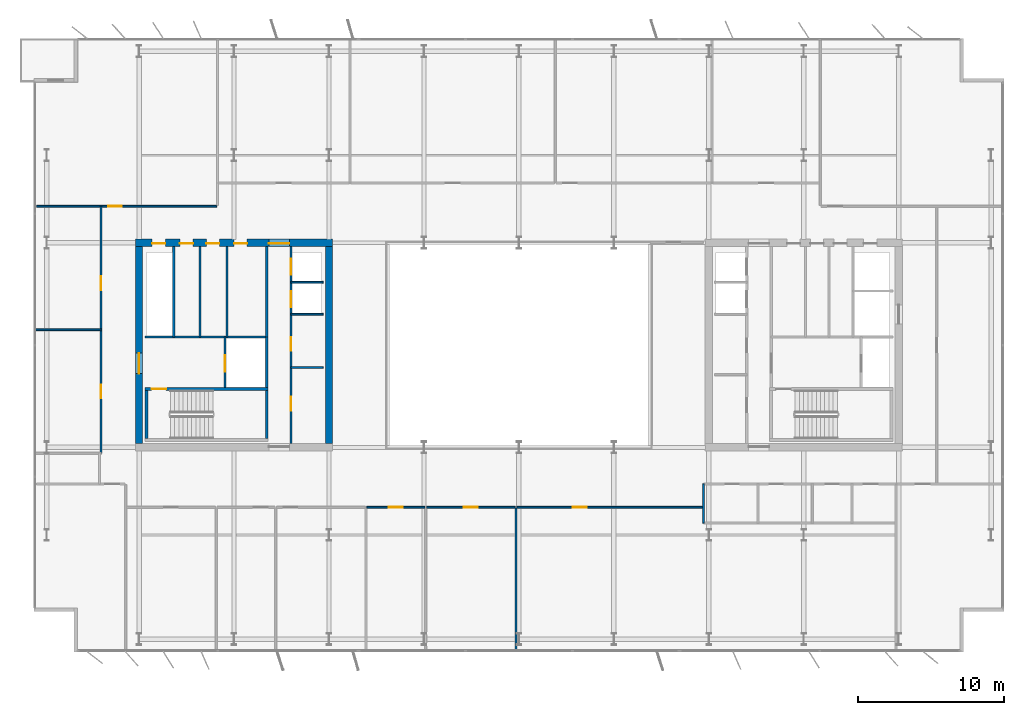
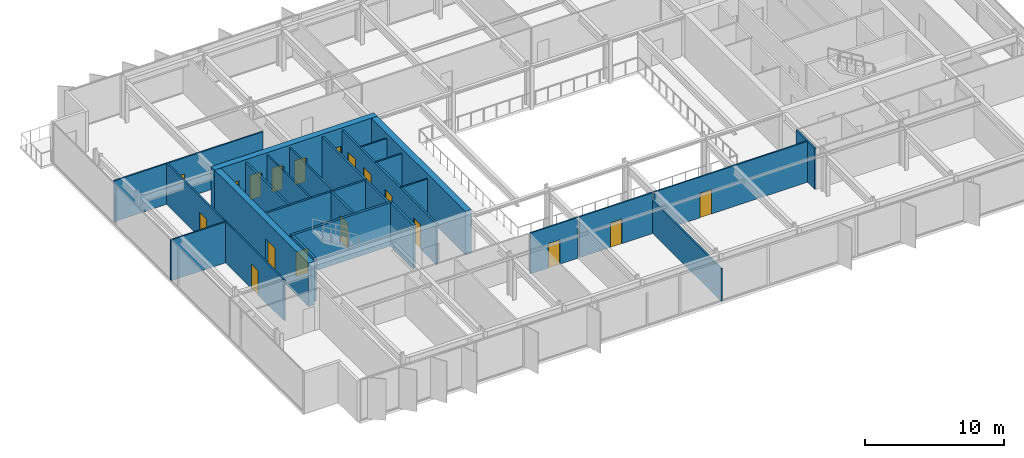
# One storey, part 17 of 23: 26 walls, 18 doors, 18 openings.
"""IFC4 building model written with IfcOpenShell, lengths in metres."""

from ifc_helpers import new_model, si_unit, direction, frame, frame_2d, origin, place, context, subcontext, project, spatial, rectangle, extrude, material, layer, layer_set, type_object, element, fill, save


model = new_model("IFC4")

# Units and contexts
model_context = context("Model", 3, precision=1e-05, world=origin(), true_north=direction((0.0, 1.0)))
body_context = subcontext(model_context, "Body", "Model", "MODEL_VIEW")
ifc_project = project(units=[si_unit("LENGTHUNIT", "METRE"), si_unit("AREAUNIT", "SQUARE_METRE"), si_unit("VOLUMEUNIT", "CUBIC_METRE"), si_unit("PLANEANGLEUNIT", "RADIAN"), si_unit("MASSUNIT", "GRAM", prefix="KILO")], contexts=[model_context])

# Site, building, storey
site_placement = place(None, origin())
site = spatial("IfcSite", under=ifc_project, at=site_placement, CompositionType="ELEMENT")
building_placement = place(site_placement, origin())
building = spatial("IfcBuilding", under=site, at=building_placement, Name="Putna Gate Headquarters", CompositionType="ELEMENT")
storey_placement = place(building_placement, frame((0.0, 0.0, 221.39990234375)))
storey = spatial("IfcBuildingStorey", under=building, at=storey_placement, Name="L55", CompositionType="ELEMENT", Elevation=221.39990234375)

# Wall, openings, doors
ifc_material_1 = material(Name="Concrete C50/60", Category="concrete")
ifc_layer_1 = layer(ifc_material_1, 0.5)
ifc_layer_set_1 = layer_set([ifc_layer_1], Name="Concrete C50/60")
wall_type_1 = type_object("IfcWallType", Name="WALL-CORE-500", PredefinedType="SHEAR", material=ifc_layer_set_1)
wall_1_placement = place(storey_placement, frame((12.75, 33.0, 0.0), z_axis=(0.0, 0.0, 1.0), x_axis=(1.0, 0.0, 0.0)))
wall_1 = element("IfcWall", 1, at=wall_1_placement, inside=storey, type_object=wall_type_1, Name="L55 WC Split Core Shear Wall N", PredefinedType="SHEAR", context=body_context, shape_type="SweptSolid", body=[
    extrude(rectangle(XDim=13.5, YDim=0.5, at=frame_2d((6.75, 0.0))), origin(), (0.0, 0.0, 1.0), 3.800048828125),
])
opening_1_placement = place(wall_1_placement, frame((1.14990234375, 0.0, 0.0)))
opening_1 = element("IfcOpeningElement", 2, at=opening_1_placement, cuts=wall_1, Name="Opening RD-90", PredefinedType="OPENING", context=body_context, shape_type="SweptSolid", body=[
    extrude(rectangle(XDim=0.89990234375, YDim=2.14990234375, at=frame_2d((0.449951171875, 1.074951171875))), frame((0.0, 0.260009765625, 0.0), z_axis=(0.0, -1.0, 0.0), x_axis=(1.0, 0.0, 0.0)), (0.0, 0.0, 1.0), 0.52001953125),
])
opening_2_placement = place(wall_1_placement, frame((3.050048828125, 0.0, 0.0)))
opening_2 = element("IfcOpeningElement", 3, at=opening_2_placement, cuts=wall_1, Name="Opening IDS-90", PredefinedType="OPENING", context=body_context, shape_type="SweptSolid", body=[
    extrude(rectangle(XDim=0.89990234375, YDim=2.14990234375, at=frame_2d((0.449951171875, 1.074951171875))), frame((0.0, 0.260009765625, 0.0), z_axis=(0.0, -1.0, 0.0), x_axis=(1.0, 0.0, 0.0)), (0.0, 0.0, 1.0), 0.52001953125),
])
opening_3_placement = place(wall_1_placement, frame((4.85009765625, 0.0, 0.0)))
opening_3 = element("IfcOpeningElement", 4, at=opening_3_placement, cuts=wall_1, Name="Opening IDS-90", PredefinedType="OPENING", context=body_context, shape_type="SweptSolid", body=[
    extrude(rectangle(XDim=0.89990234375, YDim=2.14990234375, at=frame_2d((0.449951171875, 1.074951171875))), frame((0.0, 0.260009765625, 0.0), z_axis=(0.0, -1.0, 0.0), x_axis=(1.0, 0.0, 0.0)), (0.0, 0.0, 1.0), 0.52001953125),
])
opening_4_placement = place(wall_1_placement, frame((6.75, 0.0, 0.0)))
opening_4 = element("IfcOpeningElement", 5, at=opening_4_placement, cuts=wall_1, Name="Opening IDS-90", PredefinedType="OPENING", context=body_context, shape_type="SweptSolid", body=[
    extrude(rectangle(XDim=0.89990234375, YDim=2.14990234375, at=frame_2d((0.449951171875, 1.074951171875))), frame((0.0, 0.260009765625, 0.0), z_axis=(0.0, -1.0, 0.0), x_axis=(1.0, 0.0, 0.0)), (0.0, 0.0, 1.0), 0.52001953125),
])
opening_5_placement = place(wall_1_placement, frame((9.1298828125, 0.0, 0.0)))
opening_5 = element("IfcOpeningElement", 6, at=opening_5_placement, cuts=wall_1, Name="Opening FDD-140", PredefinedType="OPENING", context=body_context, shape_type="SweptSolid", body=[
    extrude(rectangle(XDim=1.39990234375, YDim=2.199951171875, at=frame_2d((0.699951171875, 1.10009765625))), frame((0.0, 0.260009765625, 0.0), z_axis=(0.0, -1.0, 0.0), x_axis=(1.0, 0.0, 0.0)), (0.0, 0.0, 1.0), 0.52001953125),
])
ifc_material_2 = material(Name="Double steel fire door", Category="steel")
door_type_1 = type_object("IfcDoorType", Name="DOOR-FIRE-DBL-1400", OperationType="DOUBLE_DOOR_SINGLE_SWING", PredefinedType="DOOR", material=ifc_material_2)
door_1_placement = place(opening_5_placement, origin())
door_1 = element("IfcDoor", 7, at=door_1_placement, inside=storey, type_object=door_type_1, Name="L55 West Lift Lobby North Door", OperationType="DOUBLE_DOOR_SINGLE_SWING", OverallHeight=2.199951171875, OverallWidth=1.39990234375, PredefinedType="DOOR", context=body_context, shape_type="SweptSolid", body=[
    extrude(rectangle(XDim=1.39990234375, YDim=2.199951171875, at=frame_2d((0.699951171875, 1.10009765625))), frame((0.0, -0.02490234375, 0.0), z_axis=(0.0, -1.0, 0.0), x_axis=(1.0, 0.0, 0.0)), (0.0, 0.0, 1.0), 0.050048828125),
])
fill(opening_5, door_1)
ifc_material_3 = material(Name="Fire-rated utility door")
door_type_2 = type_object("IfcDoorType", Name="DOOR-INT-900", OperationType="NOTDEFINED", PredefinedType="DOOR", material=ifc_material_3)
door_2_placement = place(opening_2_placement, origin())
door_2 = element("IfcDoor", 8, at=door_2_placement, inside=storey, type_object=door_type_2, Name="L55 Janitor Cupboard Door", OperationType="SINGLE_SWING_LEFT", OverallHeight=2.14990234375, OverallWidth=0.89990234375, PredefinedType="DOOR", context=body_context, shape_type="SweptSolid", body=[
    extrude(rectangle(XDim=0.89990234375, YDim=2.14990234375, at=frame_2d((0.449951171875, 1.074951171875))), frame((0.0, -0.02490234375, 0.0), z_axis=(0.0, -1.0, 0.0), x_axis=(1.0, 0.0, 0.0)), (0.0, 0.0, 1.0), 0.050048828125),
])
fill(opening_2, door_2)
door_3_placement = place(opening_3_placement, origin())
door_3 = element("IfcDoor", 9, at=door_3_placement, inside=storey, type_object=door_type_2, Name="L55 IT Patch Plant Door", OperationType="SINGLE_SWING_RIGHT", OverallHeight=2.14990234375, OverallWidth=0.89990234375, PredefinedType="DOOR", context=body_context, shape_type="SweptSolid", body=[
    extrude(rectangle(XDim=0.89990234375, YDim=2.14990234375, at=frame_2d((0.449951171875, 1.074951171875))), frame((0.0, -0.02490234375, 0.0), z_axis=(0.0, -1.0, 0.0), x_axis=(1.0, 0.0, 0.0)), (0.0, 0.0, 1.0), 0.050048828125),
])
fill(opening_3, door_3)
door_4_placement = place(opening_4_placement, origin())
door_4 = element("IfcDoor", 10, at=door_4_placement, inside=storey, type_object=door_type_2, Name="L55 Building Records Store Door", OperationType="SINGLE_SWING_LEFT", OverallHeight=2.14990234375, OverallWidth=0.89990234375, PredefinedType="DOOR", context=body_context, shape_type="SweptSolid", body=[
    extrude(rectangle(XDim=0.89990234375, YDim=2.14990234375, at=frame_2d((0.449951171875, 1.074951171875))), frame((0.0, -0.02490234375, 0.0), z_axis=(0.0, -1.0, 0.0), x_axis=(1.0, 0.0, 0.0)), (0.0, 0.0, 1.0), 0.050048828125),
])
fill(opening_4, door_4)
ifc_material_4 = material(Name="Steel riser access fire door", Category="steel")
door_type_3 = type_object("IfcDoorType", Name="DOOR-RISER-900", OperationType="NOTDEFINED", PredefinedType="DOOR", material=ifc_material_4)
door_5_placement = place(opening_1_placement, origin())
door_5 = element("IfcDoor", 11, at=door_5_placement, inside=storey, type_object=door_type_3, Name="L55 West Riser Access Door", OperationType="SINGLE_SWING_RIGHT", OverallHeight=2.14990234375, OverallWidth=0.89990234375, PredefinedType="DOOR", context=body_context, shape_type="SweptSolid", body=[
    extrude(rectangle(XDim=0.89990234375, YDim=2.14990234375, at=frame_2d((0.449951171875, 1.074951171875))), frame((0.0, -0.02490234375, 0.0), z_axis=(0.0, -1.0, 0.0), x_axis=(1.0, 0.0, 0.0)), (0.0, 0.0, 1.0), 0.050048828125),
])
fill(opening_1, door_5)

# Wall, opening, door
wall_2_placement = place(storey_placement, frame((13.0, 19.25, 0.0), z_axis=(0.0, 0.0, 1.0), x_axis=(0.0, 1.0, 0.0)))
wall_2 = element("IfcWall", 12, at=wall_2_placement, inside=storey, type_object=wall_type_1, Name="L55 WC Split Core Shear Wall W", PredefinedType="SHEAR", context=body_context, shape_type="SweptSolid", body=[
    extrude(rectangle(XDim=13.5, YDim=0.5, at=frame_2d((6.75, 0.0))), origin(), (0.0, 0.0, 1.0), 3.800048828125),
])
opening_6_placement = place(wall_2_placement, frame((4.800048828125, 0.0, 0.0)))
opening_6 = element("IfcOpeningElement", 13, at=opening_6_placement, cuts=wall_2, Name="Opening FDD-140", PredefinedType="OPENING", context=body_context, shape_type="SweptSolid", body=[
    extrude(rectangle(XDim=1.39990234375, YDim=2.199951171875, at=frame_2d((0.699951171875, 1.10009765625))), frame((0.0, 0.260009765625, 0.0), z_axis=(0.0, -1.0, 0.0), x_axis=(1.0, 0.0, 0.0)), (0.0, 0.0, 1.0), 0.52001953125),
])
door_6_placement = place(opening_6_placement, origin())
door_6 = element("IfcDoor", 14, at=door_6_placement, inside=storey, type_object=door_type_1, Name="L55 West Firefighting Lobby Door", OperationType="DOUBLE_DOOR_SINGLE_SWING", OverallHeight=2.199951171875, OverallWidth=1.39990234375, PredefinedType="DOOR", context=body_context, shape_type="SweptSolid", body=[
    extrude(rectangle(XDim=1.39990234375, YDim=2.199951171875, at=frame_2d((0.699951171875, 1.10009765625))), frame((0.0, 0.02490234375, 0.0), z_axis=(0.0, -1.0, 0.0), x_axis=(1.0, 0.0, 0.0)), (0.0, 0.0, 1.0), 0.050048828125),
])
fill(opening_6, door_6)

# Walls
wall_3_placement = place(storey_placement, frame((26.0, 19.25, 0.0), z_axis=(0.0, 0.0, 1.0), x_axis=(0.0, 1.0, 0.0)))
element("IfcWall", 15, at=wall_3_placement, inside=storey, type_object=wall_type_1, Name="L55 WC Split Core Shear Wall E", PredefinedType="SHEAR", context=body_context, shape_type="SweptSolid", body=[
    extrude(rectangle(XDim=13.5, YDim=0.5, at=frame_2d((6.75, 0.0))), origin(), (0.0, 0.0, 1.0), 3.800048828125),
])
ifc_material_5 = material(Name="Acoustic gypsum board on metal stud")
ifc_layer_2 = layer(ifc_material_5, 0.1201171875)
ifc_layer_set_2 = layer_set([ifc_layer_2], Name="Acoustic gypsum board on metal stud")
wall_type_2 = type_object("IfcWallType", Name="WALL-PART-120", PredefinedType="PARTITIONING", material=ifc_layer_set_2)
wall_4_placement = place(storey_placement, frame((38.800048828125, 5.02001953125, 0.0), z_axis=(0.0, 0.0, 1.0), x_axis=(0.0, 1.0, 0.0)))
element("IfcWall", 16, at=wall_4_placement, inside=storey, type_object=wall_type_2, Name="L55 Interior Wall PART-L55-SB-DIV-06", PredefinedType="PARTITIONING", context=body_context, shape_type="SweptSolid", body=[
    extrude(rectangle(XDim=9.820068359375, YDim=0.1201171875, at=frame_2d((4.91015625, 0.0))), origin(), (0.0, 0.0, 1.0), 2.880126953125),
])
wall_5_placement = place(storey_placement, frame((5.820068359375, 27.050048828125, 0.0), z_axis=(0.0, 0.0, 1.0), x_axis=(1.0, 0.0, 0.0)))
element("IfcWall", 17, at=wall_5_placement, inside=storey, type_object=wall_type_2, Name="L55 Interior Wall PART-L55-WW-DIV-1", PredefinedType="PARTITIONING", context=body_context, shape_type="SweptSolid", body=[
    extrude(rectangle(XDim=4.579833984375, YDim=0.1201171875, at=frame_2d((2.2900390625, 0.0))), origin(), (0.0, 0.0, 1.0), 3.580078125),
])
ifc_material_6 = material(Name="Fire-rated shaftwall gypsum board on metal stud")
ifc_layer_3 = layer(ifc_material_6, 0.1201171875)
ifc_layer_set_3 = layer_set([ifc_layer_3], Name="Fire-rated shaftwall gypsum board on metal stud")
wall_type_3 = type_object("IfcWallType", Name="WALL-PART-120-EI120", PredefinedType="PARTITIONING", material=ifc_layer_set_3)
wall_6_placement = place(storey_placement, frame((23.39990234375, 30.31005859375, 0.0), z_axis=(0.0, 0.0, 1.0), x_axis=(1.0, 0.0, 0.0)))
element("IfcWall", 18, at=wall_6_placement, inside=storey, type_object=wall_type_3, Name="L55 Interior Wall CWINT-L55-WC-LF09-DIV", PredefinedType="PARTITIONING", context=body_context, shape_type="SweptSolid", body=[
    extrude(rectangle(XDim=2.2001953125, YDim=0.1201171875, at=frame_2d((1.10009765625, 0.0))), origin(), (0.0, 0.0, 1.0), 3.580078125),
])
ifc_material_7 = material(Name="Fire-rated gypsum board on metal stud")
ifc_layer_4 = layer(ifc_material_7, 0.1201171875)
ifc_layer_set_4 = layer_set([ifc_layer_4], Name="Fire-rated gypsum board on metal stud")
wall_type_4 = type_object("IfcWallType", Name="WALL-PART-120-RATED", PredefinedType="PARTITIONING", material=ifc_layer_set_4)
for number, where, z_axis, x_axis, name in (
    (19, (17.169921875, 26.56005859375, 0.0), (0.0, 0.0, 1.0), (0.0, 1.0, 0.0), "L55 Interior Wall CWINT-L55-WC-K2-D1"),
    (20, (19.02001953125, 26.56005859375, 0.0), (0.0, 0.0, 1.0), (0.0, 1.0, 0.0), "L55 Interior Wall CWINT-L55-WC-K2-D2"),
):
    element("IfcWall", number, at=place(storey_placement, frame(where, z_axis=z_axis, x_axis=x_axis)), inside=storey, type_object=wall_type_4, Name=name, PredefinedType="PARTITIONING", context=body_context, shape_type="SweptSolid", body=[
        extrude(rectangle(XDim=6.18994140625, YDim=0.1201171875, at=frame_2d((3.094970703125, 0.0))), origin(), (0.0, 0.0, 1.0), 3.580078125),
    ])
for number, where, z_axis, x_axis, name in (
    (21, (23.39990234375, 24.469970703125, 0.0), (0.0, 0.0, 1.0), (1.0, 0.0, 0.0), "L55 Interior Wall CWINT-L55-WC-REUSE-DIV"),
    (22, (23.39990234375, 28.1201171875, 0.0), (0.0, 0.0, 1.0), (1.0, 0.0, 0.0), "L55 Interior Wall CWINT-L55-WC-LF06-DIV"),
):
    element("IfcWall", number, at=place(storey_placement, frame(where, z_axis=z_axis, x_axis=x_axis)), inside=storey, type_object=wall_type_4, Name=name, PredefinedType="PARTITIONING", context=body_context, shape_type="SweptSolid", body=[
        extrude(rectangle(XDim=2.2001953125, YDim=0.1201171875, at=frame_2d((1.10009765625, 0.0))), origin(), (0.0, 0.0, 1.0), 3.580078125),
    ])
wall_7_placement = place(storey_placement, frame((51.639892578125, 13.820068359375, 0.0), z_axis=(0.0, 0.0, 1.0), x_axis=(0.0, 1.0, 0.0)))
element("IfcWall", 23, at=wall_7_placement, inside=storey, type_object=wall_type_4, Name="L55 Interior Wall PART-L55-SAN-DIV-1", PredefinedType="PARTITIONING", context=body_context, shape_type="SweptSolid", body=[
    extrude(rectangle(XDim=2.679931640625, YDim=0.1201171875, at=frame_2d((1.33984375, 0.0))), origin(), (0.0, 0.0, 1.0), 3.580078125),
])

# Wall, opening, door
wall_8_placement = place(storey_placement, frame((5.97998046875, 35.5, 0.0), z_axis=(0.0, 0.0, 1.0), x_axis=(1.0, 0.0, 0.0)))
wall_8 = element("IfcWall", 24, at=wall_8_placement, inside=storey, type_object=wall_type_4, Name="L55 Interior Wall PART-L55-NB-CW-01", PredefinedType="PARTITIONING", context=body_context, shape_type="SweptSolid", body=[
    extrude(rectangle(XDim=12.3291015625, YDim=0.1201171875, at=frame_2d((6.16455078125, 0.0))), origin(), (0.0, 0.0, 1.0), 3.580078125),
])
opening_7_placement = place(wall_8_placement, frame((4.89990234375, 0.0, 0.0)))
opening_7 = element("IfcOpeningElement", 25, at=opening_7_placement, cuts=wall_8, Name="Opening FD-95", PredefinedType="OPENING", context=body_context, shape_type="SweptSolid", body=[
    extrude(rectangle(XDim=0.949951171875, YDim=2.14990234375, at=frame_2d((0.47509765625, 1.074951171875))), frame((0.0, 0.070068359375, 0.0), z_axis=(0.0, -1.0, 0.0), x_axis=(1.0, 0.0, 0.0)), (0.0, 0.0, 1.0), 0.14013671875),
])
ifc_material_8 = material(Name="Acoustic timber fire door", Category="wood")
door_type_4 = type_object("IfcDoorType", Name="DOOR-FIRE-950", OperationType="NOTDEFINED", PredefinedType="DOOR", material=ifc_material_8)
door_7_placement = place(opening_7_placement, origin())
door_7 = element("IfcDoor", 26, at=door_7_placement, inside=storey, type_object=door_type_4, Name="L55 Collaborative Breakout Lounge 1 Door", OperationType="SINGLE_SWING_RIGHT", OverallHeight=2.14990234375, OverallWidth=0.949951171875, PredefinedType="DOOR", context=body_context, shape_type="SweptSolid", body=[
    extrude(rectangle(XDim=0.949951171875, YDim=2.14990234375, at=frame_2d((0.47509765625, 1.074951171875))), frame((0.0, 0.02490234375, 0.0), z_axis=(0.0, -1.0, 0.0), x_axis=(1.0, 0.0, 0.0)), (0.0, 0.0, 1.0), 0.050048828125),
])
fill(opening_7, door_7)

wall_9_placement = place(storey_placement, frame((28.59912109375, 14.89990234375, 0.0), z_axis=(0.0, 0.0, 1.0), x_axis=(1.0, 0.0, 0.0)))
wall_9 = element("IfcWall", 27, at=wall_9_placement, inside=storey, type_object=wall_type_4, Name="L55 Interior Wall PART-L55-SB-CW-05", PredefinedType="PARTITIONING", context=body_context, shape_type="SweptSolid", body=[
    extrude(rectangle(XDim=3.9541015625, YDim=0.1201171875, at=frame_2d((1.97705078125, 0.0))), origin(), (0.0, 0.0, 1.0), 3.580078125),
])
opening_8_placement = place(wall_9_placement, frame((1.502197265625, 0.0, 0.0)))
opening_8 = element("IfcOpeningElement", 28, at=opening_8_placement, cuts=wall_9, Name="Opening FD-95", PredefinedType="OPENING", context=body_context, shape_type="SweptSolid", body=[
    extrude(rectangle(XDim=0.949951171875, YDim=2.14990234375, at=frame_2d((0.47509765625, 1.074951171875))), frame((0.0, 0.070068359375, 0.0), z_axis=(0.0, -1.0, 0.0), x_axis=(1.0, 0.0, 0.0)), (0.0, 0.0, 1.0), 0.14013671875),
])
door_8_placement = place(opening_8_placement, origin())
door_8 = element("IfcDoor", 29, at=door_8_placement, inside=storey, type_object=door_type_4, Name="L55 Conference Meeting Room 3 Door", OperationType="SINGLE_SWING_RIGHT", OverallHeight=2.14990234375, OverallWidth=0.949951171875, PredefinedType="DOOR", context=body_context, shape_type="SweptSolid", body=[
    extrude(rectangle(XDim=0.949951171875, YDim=2.14990234375, at=frame_2d((0.47509765625, 1.074951171875))), frame((0.0, 0.02490234375, 0.0), z_axis=(0.0, -1.0, 0.0), x_axis=(1.0, 0.0, 0.0)), (0.0, 0.0, 1.0), 0.050048828125),
])
fill(opening_8, door_8)

wall_10_placement = place(storey_placement, frame((32.673095703125, 14.89990234375, 0.0), z_axis=(0.0, 0.0, 1.0), x_axis=(1.0, 0.0, 0.0)))
wall_10 = element("IfcWall", 30, at=wall_10_placement, inside=storey, type_object=wall_type_4, Name="L55 Interior Wall PART-L55-SB-CW-06", PredefinedType="PARTITIONING", context=body_context, shape_type="SweptSolid", body=[
    extrude(rectangle(XDim=6.06689453125, YDim=0.1201171875, at=frame_2d((3.033447265625, 0.0))), origin(), (0.0, 0.0, 1.0), 3.580078125),
])
opening_9_placement = place(wall_10_placement, frame((2.558349609375, 0.0, 0.0)))
opening_9 = element("IfcOpeningElement", 31, at=opening_9_placement, cuts=wall_10, Name="Opening FD-95", PredefinedType="OPENING", context=body_context, shape_type="SweptSolid", body=[
    extrude(rectangle(XDim=0.949951171875, YDim=2.14990234375, at=frame_2d((0.47509765625, 1.074951171875))), frame((0.0, 0.070068359375, 0.0), z_axis=(0.0, -1.0, 0.0), x_axis=(1.0, 0.0, 0.0)), (0.0, 0.0, 1.0), 0.14013671875),
])
door_9_placement = place(opening_9_placement, origin())
door_9 = element("IfcDoor", 32, at=door_9_placement, inside=storey, type_object=door_type_4, Name="L55 Conference Meeting Room 4 Door", OperationType="SINGLE_SWING_LEFT", OverallHeight=2.14990234375, OverallWidth=0.949951171875, PredefinedType="DOOR", context=body_context, shape_type="SweptSolid", body=[
    extrude(rectangle(XDim=0.949951171875, YDim=2.14990234375, at=frame_2d((0.47509765625, 1.074951171875))), frame((0.0, 0.02490234375, 0.0), z_axis=(0.0, -1.0, 0.0), x_axis=(1.0, 0.0, 0.0)), (0.0, 0.0, 1.0), 0.050048828125),
])
fill(opening_9, door_9)

wall_11_placement = place(storey_placement, frame((38.860107421875, 14.89990234375, 0.0), z_axis=(0.0, 0.0, 1.0), x_axis=(1.0, 0.0, 0.0)))
wall_11 = element("IfcWall", 33, at=wall_11_placement, inside=storey, type_object=wall_type_4, Name="L55 Interior Wall PART-L55-SB-CW-07", PredefinedType="PARTITIONING", context=body_context, shape_type="SweptSolid", body=[
    extrude(rectangle(XDim=12.719970703125, YDim=0.1201171875, at=frame_2d((6.35986328125, 0.0))), origin(), (0.0, 0.0, 1.0), 3.580078125),
])
opening_10_placement = place(wall_11_placement, frame((3.81591796875, 0.0, 0.0)))
opening_10 = element("IfcOpeningElement", 34, at=opening_10_placement, cuts=wall_11, Name="Opening FD-95", PredefinedType="OPENING", context=body_context, shape_type="SweptSolid", body=[
    extrude(rectangle(XDim=0.949951171875, YDim=2.14990234375, at=frame_2d((0.47509765625, 1.074951171875))), frame((0.0, 0.070068359375, 0.0), z_axis=(0.0, -1.0, 0.0), x_axis=(1.0, 0.0, 0.0)), (0.0, 0.0, 1.0), 0.14013671875),
])
door_10_placement = place(opening_10_placement, origin())
door_10 = element("IfcDoor", 35, at=door_10_placement, inside=storey, type_object=door_type_4, Name="L55 Primary Open Office Workplace Door", OperationType="SINGLE_SWING_RIGHT", OverallHeight=2.14990234375, OverallWidth=0.949951171875, PredefinedType="DOOR", context=body_context, shape_type="SweptSolid", body=[
    extrude(rectangle(XDim=0.949951171875, YDim=2.14990234375, at=frame_2d((0.47509765625, 1.074951171875))), frame((0.0, 0.02490234375, 0.0), z_axis=(0.0, -1.0, 0.0), x_axis=(1.0, 0.0, 0.0)), (0.0, 0.0, 1.0), 0.050048828125),
])
fill(opening_10, door_10)

wall_12_placement = place(storey_placement, frame((10.39990234375, 18.60009765625, 0.0), z_axis=(0.0, 0.0, 1.0), x_axis=(0.0, 1.0, 0.0)))
wall_12 = element("IfcWall", 36, at=wall_12_placement, inside=storey, type_object=wall_type_4, Name="L55 Interior Wall PART-L55-WW-CW-1", PredefinedType="PARTITIONING", context=body_context, shape_type="SweptSolid", body=[
    extrude(rectangle(XDim=8.449951171875, YDim=0.1201171875, at=frame_2d((4.22509765625, 0.0))), origin(), (0.0, 0.0, 1.0), 3.580078125),
])
opening_11_placement = place(wall_12_placement, frame((3.75, 0.0, 0.0)))
opening_11 = element("IfcOpeningElement", 37, at=opening_11_placement, cuts=wall_12, Name="Opening FD-95", PredefinedType="OPENING", context=body_context, shape_type="SweptSolid", body=[
    extrude(rectangle(XDim=0.949951171875, YDim=2.14990234375, at=frame_2d((0.47509765625, 1.074951171875))), frame((0.0, 0.070068359375, 0.0), z_axis=(0.0, -1.0, 0.0), x_axis=(1.0, 0.0, 0.0)), (0.0, 0.0, 1.0), 0.14013671875),
])
door_11_placement = place(opening_11_placement, origin())
door_11 = element("IfcDoor", 38, at=door_11_placement, inside=storey, type_object=door_type_4, Name="L55 West Executive Office 1 Door", OperationType="SINGLE_SWING_RIGHT", OverallHeight=2.14990234375, OverallWidth=0.949951171875, PredefinedType="DOOR", context=body_context, shape_type="SweptSolid", body=[
    extrude(rectangle(XDim=0.949951171875, YDim=2.14990234375, at=frame_2d((0.47509765625, 1.074951171875))), frame((0.0, 0.02490234375, 0.0), z_axis=(0.0, -1.0, 0.0), x_axis=(1.0, 0.0, 0.0)), (0.0, 0.0, 1.0), 0.050048828125),
])
fill(opening_11, door_11)

wall_13_placement = place(storey_placement, frame((10.39990234375, 27.050048828125, 0.0), z_axis=(0.0, 0.0, 1.0), x_axis=(0.0, 1.0, 0.0)))
wall_13 = element("IfcWall", 39, at=wall_13_placement, inside=storey, type_object=wall_type_4, Name="L55 Interior Wall PART-L55-WW-CW-2", PredefinedType="PARTITIONING", context=body_context, shape_type="SweptSolid", body=[
    extrude(rectangle(XDim=8.449951171875, YDim=0.1201171875, at=frame_2d((4.22509765625, 0.0))), origin(), (0.0, 0.0, 1.0), 3.580078125),
])
opening_12_placement = place(wall_13_placement, frame((2.699951171875, 0.0, 0.0)))
opening_12 = element("IfcOpeningElement", 40, at=opening_12_placement, cuts=wall_13, Name="Opening FD-95", PredefinedType="OPENING", context=body_context, shape_type="SweptSolid", body=[
    extrude(rectangle(XDim=0.949951171875, YDim=2.14990234375, at=frame_2d((0.47509765625, 1.074951171875))), frame((0.0, 0.070068359375, 0.0), z_axis=(0.0, -1.0, 0.0), x_axis=(1.0, 0.0, 0.0)), (0.0, 0.0, 1.0), 0.14013671875),
])
door_12_placement = place(opening_12_placement, origin())
door_12 = element("IfcDoor", 41, at=door_12_placement, inside=storey, type_object=door_type_4, Name="L55 West Executive Office 2 Door", OperationType="SINGLE_SWING_LEFT", OverallHeight=2.14990234375, OverallWidth=0.949951171875, PredefinedType="DOOR", context=body_context, shape_type="SweptSolid", body=[
    extrude(rectangle(XDim=0.949951171875, YDim=2.14990234375, at=frame_2d((0.47509765625, 1.074951171875))), frame((0.0, 0.02490234375, 0.0), z_axis=(0.0, -1.0, 0.0), x_axis=(1.0, 0.0, 0.0)), (0.0, 0.0, 1.0), 0.050048828125),
])
fill(opening_12, door_12)

# Wall
ifc_material_9 = material(Name="Concrete C40/50", Category="concrete")
ifc_layer_5 = layer(ifc_material_9, 0.159912109375)
ifc_layer_set_5 = layer_set([ifc_layer_5], Name="Concrete C40/50")
wall_type_5 = type_object("IfcWallType", Name="WALL-SHAFT-160", PredefinedType="STANDARD", material=ifc_layer_set_5)
wall_14_placement = place(storey_placement, frame((21.739990234375, 23.090087890625, 0.0), z_axis=(0.0, 0.0, 1.0), x_axis=(0.0, 1.0, 0.0)))
element("IfcWall", 42, at=wall_14_placement, inside=storey, type_object=wall_type_5, Name="L55 Interior Wall CWINT-L55-WC-FFL-E", PredefinedType="STANDARD", context=body_context, shape_type="SweptSolid", body=[
    extrude(rectangle(XDim=3.469970703125, YDim=0.159912109375, at=frame_2d((1.73486328125, 0.0))), origin(), (0.0, 0.0, 1.0), 3.580078125),
])

# Wall, opening, door
wall_15_placement = place(storey_placement, frame((18.8798828125, 23.090087890625, 0.0), z_axis=(0.0, 0.0, 1.0), x_axis=(0.0, 1.0, 0.0)))
wall_15 = element("IfcWall", 43, at=wall_15_placement, inside=storey, type_object=wall_type_5, Name="L55 Interior Wall CWINT-L55-WC-LF13-W", PredefinedType="STANDARD", context=body_context, shape_type="SweptSolid", body=[
    extrude(rectangle(XDim=3.469970703125, YDim=0.159912109375, at=frame_2d((1.73486328125, 0.0))), origin(), (0.0, 0.0, 1.0), 3.580078125),
])
opening_13_placement = place(wall_15_placement, frame((1.10009765625, 0.0, 0.0)))
opening_13 = element("IfcOpeningElement", 44, at=opening_13_placement, cuts=wall_15, Name="Opening LD-1", PredefinedType="OPENING", context=body_context, shape_type="SweptSolid", body=[
    extrude(rectangle(XDim=1.10009765625, YDim=2.199951171875, at=frame_2d((0.550048828125, 1.10009765625))), frame((0.0, 0.08984375, 0.0), z_axis=(0.0, -1.0, 0.0), x_axis=(1.0, 0.0, 0.0)), (0.0, 0.0, 1.0), 0.179931640625),
])
ifc_material_10 = material(Name="Brushed bronze stainless lift landing door")
door_type_5 = type_object("IfcDoorType", Name="DOOR-LIFT-1100", OperationType="DOUBLE_DOOR_SLIDING", PredefinedType="DOOR", material=ifc_material_10)
door_13_placement = place(opening_13_placement, origin())
door_13 = element("IfcDoor", 45, at=door_13_placement, inside=storey, type_object=door_type_5, Name="L55 Lift Landing Door LD-13", OperationType="DOUBLE_DOOR_SLIDING", OverallHeight=2.199951171875, OverallWidth=1.10009765625, PredefinedType="DOOR", context=body_context, shape_type="SweptSolid", body=[
    extrude(rectangle(XDim=1.10009765625, YDim=2.199951171875, at=frame_2d((0.550048828125, 1.10009765625))), frame((0.0, 0.02490234375, 0.0), z_axis=(0.0, -1.0, 0.0), x_axis=(1.0, 0.0, 0.0)), (0.0, 0.0, 1.0), 0.050048828125),
])
fill(opening_13, door_13)

# Walls
wall_16_placement = place(storey_placement, frame((13.39990234375, 26.56005859375, 0.0), z_axis=(0.0, 0.0, 1.0), x_axis=(1.0, 0.0, 0.0)))
element("IfcWall", 46, at=wall_16_placement, inside=storey, type_object=wall_type_5, Name="L55 Interior Wall CWINT-L55-WC-FFL-N", PredefinedType="STANDARD", context=body_context, shape_type="SweptSolid", body=[
    extrude(rectangle(XDim=8.340087890625, YDim=0.159912109375, at=frame_2d((4.169921875, 0.0))), origin(), (0.0, 0.0, 1.0), 3.580078125),
])
for number, where, z_axis, x_axis, name in (
    (47, (15.3798828125, 26.56005859375, 0.0), (0.0, 0.0, 1.0), (0.0, 1.0, 0.0), "L55 Interior Wall CWINT-L55-WC-RISER-E"),
    (48, (21.739990234375, 26.56005859375, 0.0), (0.0, 0.0, 1.0), (0.0, 1.0, 0.0), "L55 Interior Wall CWINT-L55-WC-LOB-W"),
):
    element("IfcWall", number, at=place(storey_placement, frame(where, z_axis=z_axis, x_axis=x_axis)), inside=storey, type_object=wall_type_5, Name=name, PredefinedType="STANDARD", context=body_context, shape_type="SweptSolid", body=[
        extrude(rectangle(XDim=6.18994140625, YDim=0.159912109375, at=frame_2d((3.094970703125, 0.0))), origin(), (0.0, 0.0, 1.0), 3.580078125),
    ])

# Wall, openings, doors
wall_17_placement = place(storey_placement, frame((23.39990234375, 19.25, 0.0), z_axis=(0.0, 0.0, 1.0), x_axis=(0.0, 1.0, 0.0)))
wall_17 = element("IfcWall", 49, at=wall_17_placement, inside=storey, type_object=wall_type_5, Name="L55 Interior Wall CWINT-L55-WC-PL-WALL", PredefinedType="STANDARD", context=body_context, shape_type="SweptSolid", body=[
    extrude(rectangle(XDim=13.5, YDim=0.159912109375, at=frame_2d((6.75, 0.0))), origin(), (0.0, 0.0, 1.0), 3.580078125),
])
opening_14_placement = place(wall_17_placement, frame((2.25, 0.0, 0.0)))
opening_14 = element("IfcOpeningElement", 50, at=opening_14_placement, cuts=wall_17, Name="Opening IDS-95", PredefinedType="OPENING", context=body_context, shape_type="SweptSolid", body=[
    extrude(rectangle(XDim=0.949951171875, YDim=2.14990234375, at=frame_2d((0.47509765625, 1.074951171875))), frame((0.0, 0.08984375, 0.0), z_axis=(0.0, -1.0, 0.0), x_axis=(1.0, 0.0, 0.0)), (0.0, 0.0, 1.0), 0.179931640625),
])
opening_15_placement = place(wall_17_placement, frame((6.35009765625, 0.0, 0.0)))
opening_15 = element("IfcOpeningElement", 51, at=opening_15_placement, cuts=wall_17, Name="Opening IDS-95", PredefinedType="OPENING", context=body_context, shape_type="SweptSolid", body=[
    extrude(rectangle(XDim=0.949951171875, YDim=2.14990234375, at=frame_2d((0.47509765625, 1.074951171875))), frame((0.0, 0.08984375, 0.0), z_axis=(0.0, -1.0, 0.0), x_axis=(1.0, 0.0, 0.0)), (0.0, 0.0, 1.0), 0.179931640625),
])
opening_16_placement = place(wall_17_placement, frame((9.35009765625, 0.0, 0.0)))
opening_16 = element("IfcOpeningElement", 52, at=opening_16_placement, cuts=wall_17, Name="Opening LD-1", PredefinedType="OPENING", context=body_context, shape_type="SweptSolid", body=[
    extrude(rectangle(XDim=1.10009765625, YDim=2.199951171875, at=frame_2d((0.550048828125, 1.10009765625))), frame((0.0, 0.08984375, 0.0), z_axis=(0.0, -1.0, 0.0), x_axis=(1.0, 0.0, 0.0)), (0.0, 0.0, 1.0), 0.179931640625),
])
opening_17_placement = place(wall_17_placement, frame((11.550048828125, 0.0, 0.0)))
opening_17 = element("IfcOpeningElement", 53, at=opening_17_placement, cuts=wall_17, Name="Opening LD-1", PredefinedType="OPENING", context=body_context, shape_type="SweptSolid", body=[
    extrude(rectangle(XDim=1.10009765625, YDim=2.199951171875, at=frame_2d((0.550048828125, 1.10009765625))), frame((0.0, 0.08984375, 0.0), z_axis=(0.0, -1.0, 0.0), x_axis=(1.0, 0.0, 0.0)), (0.0, 0.0, 1.0), 0.179931640625),
])
ifc_material_11 = material(Name="Fire-rated service timber door", Category="wood")
door_type_6 = type_object("IfcDoorType", Name="DOOR-INT-950", OperationType="NOTDEFINED", PredefinedType="DOOR", material=ifc_material_11)
door_14_placement = place(opening_14_placement, origin())
door_14 = element("IfcDoor", 54, at=door_14_placement, inside=storey, type_object=door_type_6, Name="L55 Tenant IT Hub Door", OperationType="SINGLE_SWING_LEFT", OverallHeight=2.14990234375, OverallWidth=0.949951171875, PredefinedType="DOOR", context=body_context, shape_type="SweptSolid", body=[
    extrude(rectangle(XDim=0.949951171875, YDim=2.14990234375, at=frame_2d((0.47509765625, 1.074951171875))), frame((0.0, 0.02490234375, 0.0), z_axis=(0.0, -1.0, 0.0), x_axis=(1.0, 0.0, 0.0)), (0.0, 0.0, 1.0), 0.050048828125),
])
fill(opening_14, door_14)
door_15_placement = place(opening_15_placement, origin())
door_15 = element("IfcDoor", 55, at=door_15_placement, inside=storey, type_object=door_type_6, Name="L55 Records Vault Door", OperationType="SINGLE_SWING_RIGHT", OverallHeight=2.14990234375, OverallWidth=0.949951171875, PredefinedType="DOOR", context=body_context, shape_type="SweptSolid", body=[
    extrude(rectangle(XDim=0.949951171875, YDim=2.14990234375, at=frame_2d((0.47509765625, 1.074951171875))), frame((0.0, 0.02490234375, 0.0), z_axis=(0.0, -1.0, 0.0), x_axis=(1.0, 0.0, 0.0)), (0.0, 0.0, 1.0), 0.050048828125),
])
fill(opening_15, door_15)
door_16_placement = place(opening_16_placement, origin())
door_16 = element("IfcDoor", 56, at=door_16_placement, inside=storey, type_object=door_type_5, Name="L55 Lift Landing Door LD-09", OperationType="DOUBLE_DOOR_SLIDING", OverallHeight=2.199951171875, OverallWidth=1.10009765625, PredefinedType="DOOR", context=body_context, shape_type="SweptSolid", body=[
    extrude(rectangle(XDim=1.10009765625, YDim=2.199951171875, at=frame_2d((0.550048828125, 1.10009765625))), frame((0.0, 0.02490234375, 0.0), z_axis=(0.0, -1.0, 0.0), x_axis=(1.0, 0.0, 0.0)), (0.0, 0.0, 1.0), 0.050048828125),
])
fill(opening_16, door_16)
door_17_placement = place(opening_17_placement, origin())
door_17 = element("IfcDoor", 57, at=door_17_placement, inside=storey, type_object=door_type_5, Name="L55 Lift Landing Door LD-10", OperationType="DOUBLE_DOOR_SLIDING", OverallHeight=2.199951171875, OverallWidth=1.10009765625, PredefinedType="DOOR", context=body_context, shape_type="SweptSolid", body=[
    extrude(rectangle(XDim=1.10009765625, YDim=2.199951171875, at=frame_2d((0.550048828125, 1.10009765625))), frame((0.0, 0.02490234375, 0.0), z_axis=(0.0, -1.0, 0.0), x_axis=(1.0, 0.0, 0.0)), (0.0, 0.0, 1.0), 0.050048828125),
])
fill(opening_17, door_17)

# Wall, opening, door
ifc_layer_6 = layer(ifc_material_9, 0.199951171875)
ifc_layer_set_6 = layer_set([ifc_layer_6], Name="Concrete C40/50")
wall_type_6 = type_object("IfcWallType", Name="WALL-SHAFT-RC200", PredefinedType="SHEAR", material=ifc_layer_set_6)
wall_18_placement = place(storey_placement, frame((13.409912109375, 22.989990234375, 0.0), z_axis=(0.0, 0.0, 1.0), x_axis=(1.0, 0.0, 0.0)))
wall_18 = element("IfcWall", 58, at=wall_18_placement, inside=storey, type_object=wall_type_6, Name="L55 Stair ST1 Structural Shaft Wall N", PredefinedType="SHEAR", context=body_context, shape_type="SweptSolid", body=[
    extrude(rectangle(XDim=8.43017578125, YDim=0.199951171875, at=frame_2d((4.215087890625, 0.0))), origin(), (0.0, 0.0, 1.0), 3.800048828125),
])
opening_18_placement = place(wall_18_placement, frame((0.449951171875, 0.0, 0.0)))
opening_18 = element("IfcOpeningElement", 59, at=opening_18_placement, cuts=wall_18, Name="Opening FD-100", PredefinedType="OPENING", context=body_context, shape_type="SweptSolid", body=[
    extrude(rectangle(XDim=1.0, YDim=2.14990234375, at=frame_2d((0.5, 1.074951171875))), frame((0.0, 0.10986328125, 0.0), z_axis=(0.0, -1.0, 0.0), x_axis=(1.0, 0.0, 0.0)), (0.0, 0.0, 1.0), 0.219970703125),
])
ifc_material_12 = material(Name="Powder-coated steel fire door", Category="steel")
door_type_7 = type_object("IfcDoorType", Name="DOOR-FIRE-1000", OperationType="NOTDEFINED", PredefinedType="DOOR", material=ifc_material_12)
door_18_placement = place(opening_18_placement, origin())
door_18 = element("IfcDoor", 60, at=door_18_placement, inside=storey, type_object=door_type_7, Name="L55 Stair ST1 Fire Door", OperationType="SINGLE_SWING_LEFT", OverallHeight=2.14990234375, OverallWidth=1.0, PredefinedType="DOOR", context=body_context, shape_type="SweptSolid", body=[
    extrude(rectangle(XDim=1.0, YDim=2.14990234375, at=frame_2d((0.5, 1.074951171875))), frame((0.0, 0.02490234375, 0.0), z_axis=(0.0, -1.0, 0.0), x_axis=(1.0, 0.0, 0.0)), (0.0, 0.0, 1.0), 0.050048828125),
])
fill(opening_18, door_18)

# Walls
for number, where, z_axis, x_axis, name in (
    (61, (13.510009765625, 19.610107421875, 0.0), (0.0, 0.0, 1.0), (0.0, 1.0, 0.0), "L55 Stair ST1 Structural Shaft Wall W"),
    (62, (21.739990234375, 19.610107421875, 0.0), (0.0, 0.0, 1.0), (0.0, 1.0, 0.0), "L55 Stair ST1 Structural Shaft Wall E"),
):
    element("IfcWall", number, at=place(storey_placement, frame(where, z_axis=z_axis, x_axis=x_axis)), inside=storey, type_object=wall_type_6, Name=name, PredefinedType="SHEAR", context=body_context, shape_type="SweptSolid", body=[
        extrude(rectangle(XDim=3.27978515625, YDim=0.199951171875, at=frame_2d((1.639892578125, 0.0))), origin(), (0.0, 0.0, 1.0), 3.800048828125),
    ])

save(model, "model.ifc")
